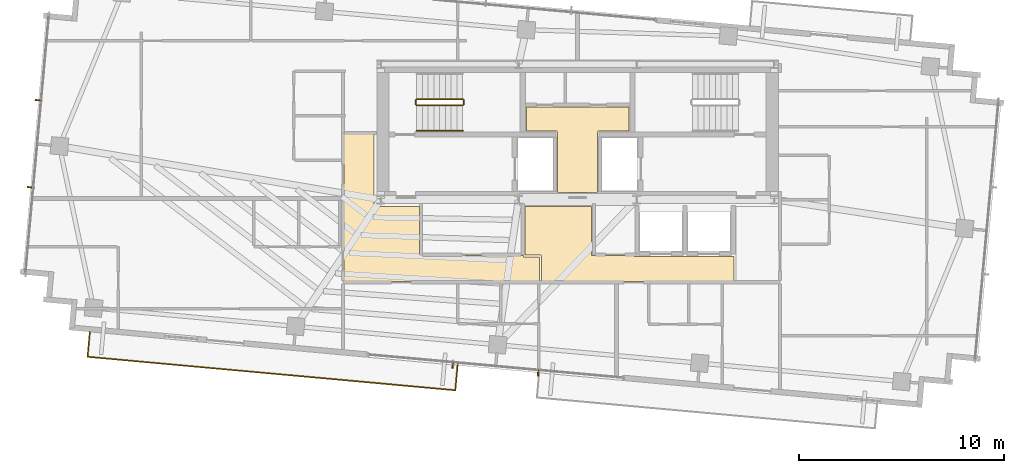
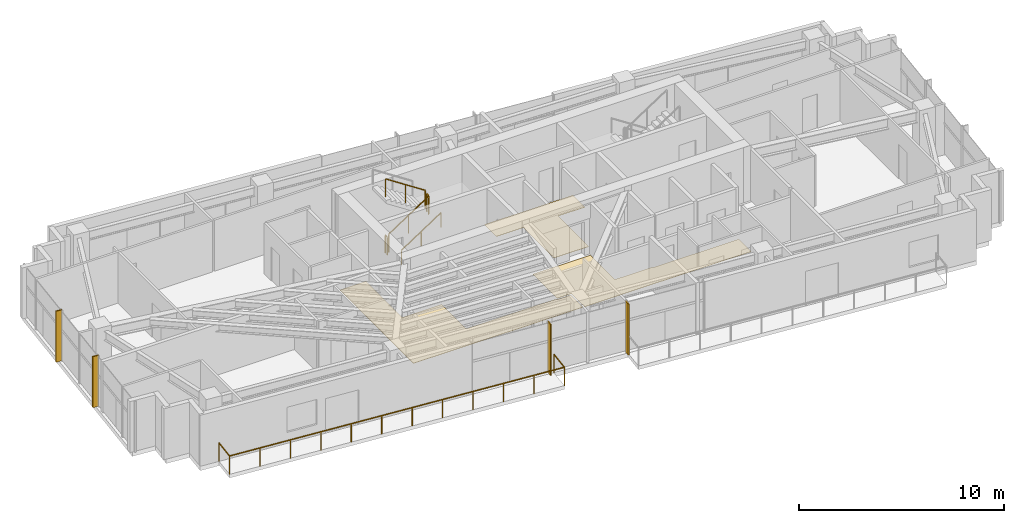
# One storey, part 20 of 22: 6 railings, 4 shading devices, 3 coverings.
"""IFC4 building model written with IfcOpenShell, lengths in metres."""

from ifc_helpers import new_model, si_unit, direction, frame, origin, origin_2d, place, context, subcontext, project, spatial, polyline, rectangle, outline, extrude, source, transform, mapped, material, layer, layer_set, type_object, type_shapes, element, save


model = new_model("IFC4")

# Units and contexts
model_context = context("Model", 3, precision=1e-05, world=origin(), true_north=direction((0.0, 1.0)))
body_context = subcontext(model_context, "Body", "Model", "MODEL_VIEW")
ifc_project = project(units=[si_unit("LENGTHUNIT", "METRE"), si_unit("AREAUNIT", "SQUARE_METRE"), si_unit("VOLUMEUNIT", "CUBIC_METRE"), si_unit("PLANEANGLEUNIT", "RADIAN"), si_unit("MASSUNIT", "GRAM", prefix="KILO")], contexts=[model_context])

# Site, building, storey
site_placement = place(None, origin())
site = spatial("IfcSite", under=ifc_project, at=site_placement, CompositionType="ELEMENT")
building_placement = place(site_placement, origin())
building = spatial("IfcBuilding", under=site, at=building_placement, Name="Astriad Promenade Condominiums", CompositionType="ELEMENT")
storey_placement = place(building_placement, frame((0.0, 0.0, 223.199951171875)))
storey = spatial("IfcBuildingStorey", under=building, at=storey_placement, Name="L64", CompositionType="ELEMENT", Elevation=223.199951171875)

# Coverings
ifc_material_1 = material(Name="Polished Lakefront Terrazzo Flooring")
ifc_layer = layer(ifc_material_1, 0.02001953125)
ifc_layer_set = layer_set([ifc_layer], Name="Polished Lakefront Terrazzo Flooring")
covering_type = type_object("IfcCoveringType", Name="COV-FLOR-TERRAZZO-20", PredefinedType="FLOORING", material=ifc_layer_set)
covering_1_placement = place(storey_placement, origin())
element("IfcCovering", 1, at=covering_1_placement, inside=storey, type_object=covering_type, Name="FLR-L64-CSL", PredefinedType="FLOORING", context=body_context, shape_type="SweptSolid", body=[
    extrude(outline(polyline([(36.97998046875, 20.699951171875), (36.97998046875, 17.739990234375), (35.02001953125, 17.739990234375), (35.02001953125, 20.699951171875), (35.019775390625, 20.703857421875), (35.019287109375, 20.707763671875), (35.018310546875, 20.711669921875), (35.01708984375, 20.71533203125), (35.015380859375, 20.718994140625), (35.01318359375, 20.72216796875), (35.010986328125, 20.725341796875), (35.00830078125, 20.728271484375), (35.00537109375, 20.73095703125), (35.002197265625, 20.7333984375), (34.998779296875, 20.7353515625), (34.995361328125, 20.737060546875), (34.99169921875, 20.73828125), (34.98779296875, 20.7392578125), (34.98388671875, 20.73974609375), (34.97998046875, 20.739990234375), (33.5, 20.739990234375), (33.5, 21.909912109375), (38.5, 21.909912109375), (38.5, 20.739990234375), (37.02001953125, 20.739990234375), (37.01611328125, 20.73974609375), (37.01220703125, 20.7392578125), (37.00830078125, 20.73828125), (37.004638671875, 20.737060546875), (37.001220703125, 20.7353515625), (36.997802734375, 20.7333984375), (36.99462890625, 20.73095703125), (36.99169921875, 20.728271484375), (36.989013671875, 20.725341796875), (36.98681640625, 20.72216796875), (36.984619140625, 20.718994140625), (36.98291015625, 20.71533203125), (36.981689453125, 20.711669921875), (36.980712890625, 20.707763671875), (36.980224609375, 20.703857421875), (36.97998046875, 20.699951171875)])), origin(), (0.0, 0.0, 1.0), 0.02001953125),
])
covering_2_placement = place(storey_placement, origin())
element("IfcCovering", 2, at=covering_2_placement, inside=storey, type_object=covering_type, Name="FLR-L64-LLB", PredefinedType="FLOORING", context=body_context, shape_type="SweptSolid", body=[
    extrude(outline(polyline([(43.639892578125, 14.610107421875), (43.639892578125, 13.39990234375), (34.239990234375, 13.39990234375), (34.239990234375, 14.64990234375), (34.23974609375, 14.65380859375), (34.2392578125, 14.65771484375), (34.23828125, 14.66162109375), (34.237060546875, 14.665283203125), (34.2353515625, 14.6689453125), (34.2333984375, 14.672119140625), (34.23095703125, 14.67529296875), (34.228271484375, 14.67822265625), (34.225341796875, 14.680908203125), (34.22216796875, 14.683349609375), (34.218994140625, 14.685302734375), (34.21533203125, 14.68701171875), (34.211669921875, 14.688232421875), (34.207763671875, 14.689208984375), (34.203857421875, 14.689697265625), (34.199951171875, 14.68994140625), (33.43994140625, 14.68994140625), (33.43994140625, 17.06005859375), (36.679931640625, 17.06005859375), (36.679931640625, 14.699951171875), (36.68017578125, 14.696044921875), (36.680908203125, 14.692138671875), (36.681640625, 14.6884765625), (36.68310546875, 14.684814453125), (36.684814453125, 14.68115234375), (36.686767578125, 14.677734375), (36.689208984375, 14.674560546875), (36.691650390625, 14.671630859375), (36.694580078125, 14.669189453125), (36.69775390625, 14.666748046875), (36.701171875, 14.664794921875), (36.70458984375, 14.6630859375), (36.70849609375, 14.66162109375), (36.712158203125, 14.660888671875), (36.716064453125, 14.66015625), (36.719970703125, 14.659912109375), (38.760009765625, 14.659912109375), (38.760009765625, 14.64990234375), (38.76025390625, 14.64599609375), (38.7607421875, 14.64208984375), (38.76171875, 14.638427734375), (38.762939453125, 14.634765625), (38.7646484375, 14.631103515625), (38.7666015625, 14.627685546875), (38.76904296875, 14.62451171875), (38.771728515625, 14.62158203125), (38.774658203125, 14.619140625), (38.77783203125, 14.61669921875), (38.781005859375, 14.61474609375), (38.78466796875, 14.613037109375), (38.788330078125, 14.61181640625), (38.792236328125, 14.61083984375), (38.796142578125, 14.610107421875), (38.800048828125, 14.610107421875), (43.639892578125, 14.610107421875)])), origin(), (0.0, 0.0, 1.0), 0.02001953125),
])
covering_3_placement = place(storey_placement, origin())
element("IfcCovering", 3, at=covering_3_placement, inside=storey, type_object=covering_type, Name="FLR-L64-COR-1", PredefinedType="FLOORING", context=body_context, shape_type="SweptSolid", body=[
    extrude(outline(polyline([(24.590087890625, 13.39990234375), (24.590087890625, 20.610107421875), (26.06005859375, 20.610107421875), (26.06005859375, 17.10009765625), (26.060302734375, 17.09619140625), (26.060791015625, 17.09228515625), (26.061767578125, 17.08837890625), (26.06298828125, 17.084716796875), (26.064697265625, 17.0810546875), (26.066650390625, 17.077880859375), (26.069091796875, 17.07470703125), (26.07177734375, 17.07177734375), (26.07470703125, 17.069091796875), (26.077880859375, 17.066650390625), (26.0810546875, 17.064697265625), (26.084716796875, 17.06298828125), (26.08837890625, 17.061767578125), (26.09228515625, 17.060791015625), (26.09619140625, 17.060302734375), (26.10009765625, 17.06005859375), (28.280029296875, 17.06005859375), (28.280029296875, 14.699951171875), (28.2802734375, 14.696044921875), (28.28076171875, 14.692138671875), (28.28173828125, 14.6884765625), (28.282958984375, 14.684814453125), (28.28466796875, 14.68115234375), (28.28662109375, 14.677734375), (28.2890625, 14.674560546875), (28.291748046875, 14.671630859375), (28.294677734375, 14.669189453125), (28.2978515625, 14.666748046875), (28.301025390625, 14.664794921875), (28.3046875, 14.6630859375), (28.308349609375, 14.66162109375), (28.312255859375, 14.660888671875), (28.316162109375, 14.66015625), (28.320068359375, 14.659912109375), (33.35009765625, 14.659912109375), (33.35009765625, 14.64892578125), (33.35009765625, 14.64501953125), (33.350830078125, 14.64111328125), (33.35107421875, 14.64013671875), (33.351318359375, 14.639404296875), (33.351318359375, 14.638427734375), (33.352294921875, 14.634521484375), (33.353759765625, 14.630859375), (33.3544921875, 14.629150390625), (33.356201171875, 14.6259765625), (33.356689453125, 14.625), (33.35888671875, 14.62158203125), (33.3603515625, 14.61962890625), (33.36083984375, 14.618896484375), (33.361083984375, 14.61865234375), (33.361328125, 14.618408203125), (33.361572265625, 14.617919921875), (33.36328125, 14.615966796875), (33.365966796875, 14.61328125), (33.367919921875, 14.611572265625), (33.368408203125, 14.611328125), (33.36865234375, 14.611083984375), (33.368896484375, 14.61083984375), (33.36962890625, 14.6103515625), (33.37158203125, 14.60888671875), (33.375, 14.606689453125), (33.3759765625, 14.606201171875), (33.379150390625, 14.6044921875), (33.3798828125, 14.604248046875), (33.380859375, 14.603759765625), (33.384521484375, 14.602294921875), (33.388427734375, 14.601318359375), (33.389404296875, 14.601318359375), (33.39013671875, 14.60107421875), (33.39111328125, 14.600830078125), (33.39501953125, 14.60009765625), (33.39892578125, 14.60009765625), (34.14990234375, 14.60009765625), (34.14990234375, 13.39990234375), (24.590087890625, 13.39990234375)])), origin(), (0.0, 0.0, 1.0), 0.02001953125),
])

# Shading devices
ifc_material_2 = material(Name="Anodised aluminium 6063-T6 Black Fin", Category="aluminium")
shading_device_type = type_object("IfcShadingDeviceType", Name="FIN-BLACK-260", PredefinedType="USERDEFINED", material=ifc_material_2)
shared_shape_1 = source(origin(), body_context, "Body", "SweptSolid", [
    extrude(rectangle(XDim=0.06494140625, YDim=0.320068359375, at=origin_2d()), origin(), (0.0, 0.0, 1.0), 3.0400390625),
])
type_shapes(shading_device_type, [shared_shape_1])
for number, where, z_axis, x_axis, name in (
    (4, (9.293212890625, 17.9970703125, 0.0), (0.0, 0.0, 1.0), (0.090632580198, 0.995884398616, 0.0), "CW-L64-W-FIN-01"),
    (5, (9.6796875, 22.246337890625, 0.0), (0.0, 0.0, 1.0), (0.090632580198, 0.995884398616, 0.0), "CW-L64-W-FIN-02"),
    (6, (34.073974609375, 8.937255859375, 0.0), (0.0, 0.0, 1.0), (-0.995884398616, 0.090632580198, 0.0), "CW-L64-S-FIN-01"),
    (7, (29.9111328125, 9.316162109375, 0.0), (0.0, 0.0, 1.0), (-0.995884398616, 0.090632580198, 0.0), "CW-L64-S-FIN-02"),
):
    element("IfcShadingDevice", number, at=place(storey_placement, frame(where, z_axis=z_axis, x_axis=x_axis)), inside=storey, type_object=shading_device_type, Name=name, ObjectType="FIN", PredefinedType="USERDEFINED", context=body_context, shape_type="MappedRepresentation", body=[
        mapped(shared_shape_1, transform((0.0, 0.0, 0.0), scale=1.0)),
    ])

# Railings
ifc_material_3 = material(Name="Laminated Glass and Stainless Steel Balustrade", Category="steel")
railing_type_1 = type_object("IfcRailingType", Name="GRD-BALC-1120", PredefinedType="BALUSTRADE", material=ifc_material_3)
shared_shape_2 = source(origin(), body_context, "Body", "SweptSolid", [
    extrude(rectangle(XDim=0.048095703125, YDim=0.048095703125, at=origin_2d()), frame((0.0, 0.0, 1.09619140625), z_axis=(-0.090643994769, -0.995883359743, 0.0), x_axis=(0.995883359743, -0.090643994769, 0.0)), (0.0, 0.0, 1.0), 1.22021484375),
    extrude(rectangle(XDim=0.048095703125, YDim=0.048095703125, at=origin_2d()), frame((-0.110595703125, -1.215087890625, 1.09619140625), z_axis=(0.995884986863, -0.090626116217, 0.0), x_axis=(0.090626116217, 0.995884986863, 0.0)), (0.0, 0.0, 1.0), 18.025146484375),
    extrude(rectangle(XDim=0.048095703125, YDim=0.048095703125, at=origin_2d()), frame((17.84033203125, -2.8486328125, 1.09619140625), z_axis=(0.09066206129, 0.995881715186, 0.0), x_axis=(-0.995881715186, 0.09066206129, 0.0)), (0.0, 0.0, 1.0), 1.219970703125),
    extrude(rectangle(XDim=0.0419921875, YDim=0.0419921875, at=origin_2d()), origin(), (0.0, 0.0, 1.0), 1.072021484375),
    extrude(rectangle(XDim=0.0419921875, YDim=0.0419921875, at=origin_2d()), frame((-0.110595703125, -1.215087890625, 0.0)), (0.0, 0.0, 1.0), 1.072021484375),
    extrude(rectangle(XDim=0.0419921875, YDim=0.0419921875, at=origin_2d()), frame((1.521240234375, -1.363525390625, 0.0)), (0.0, 0.0, 1.0), 1.072021484375),
    extrude(rectangle(XDim=0.0419921875, YDim=0.0419921875, at=origin_2d()), frame((3.1533203125, -1.51220703125, 0.0)), (0.0, 0.0, 1.0), 1.072021484375),
    extrude(rectangle(XDim=0.0419921875, YDim=0.0419921875, at=origin_2d()), frame((4.78515625, -1.66064453125, 0.0)), (0.0, 0.0, 1.0), 1.072021484375),
    extrude(rectangle(XDim=0.0419921875, YDim=0.0419921875, at=origin_2d()), frame((6.4169921875, -1.80908203125, 0.0)), (0.0, 0.0, 1.0), 1.072021484375),
    extrude(rectangle(XDim=0.0419921875, YDim=0.0419921875, at=origin_2d()), frame((8.048828125, -1.95751953125, 0.0)), (0.0, 0.0, 1.0), 1.072021484375),
    extrude(rectangle(XDim=0.0419921875, YDim=0.0419921875, at=origin_2d()), frame((9.680908203125, -2.106201171875, 0.0)), (0.0, 0.0, 1.0), 1.072021484375),
    extrude(rectangle(XDim=0.0419921875, YDim=0.0419921875, at=origin_2d()), frame((11.312744140625, -2.254638671875, 0.0)), (0.0, 0.0, 1.0), 1.072021484375),
    extrude(rectangle(XDim=0.0419921875, YDim=0.0419921875, at=origin_2d()), frame((12.944580078125, -2.403076171875, 0.0)), (0.0, 0.0, 1.0), 1.072021484375),
    extrude(rectangle(XDim=0.0419921875, YDim=0.0419921875, at=origin_2d()), frame((14.576416015625, -2.551513671875, 0.0)), (0.0, 0.0, 1.0), 1.072021484375),
    extrude(rectangle(XDim=0.0419921875, YDim=0.0419921875, at=origin_2d()), frame((16.20849609375, -2.7001953125, 0.0)), (0.0, 0.0, 1.0), 1.072021484375),
    extrude(rectangle(XDim=0.0419921875, YDim=0.0419921875, at=origin_2d()), frame((17.84033203125, -2.8486328125, 0.0)), (0.0, 0.0, 1.0), 1.072021484375),
    extrude(rectangle(XDim=0.0419921875, YDim=0.0419921875, at=origin_2d()), frame((17.950927734375, -1.6337890625, 0.0)), (0.0, 0.0, 1.0), 1.072021484375),
])
type_shapes(railing_type_1, [shared_shape_2])
railing_1_placement = place(storey_placement, frame((12.194091796875, 10.9384765625, 0.0)))
element("IfcRailing", 8, at=railing_1_placement, inside=storey, type_object=railing_type_1, Name="GRD-BALC-L64-SW", PredefinedType="BALUSTRADE", context=body_context, shape_type="MappedRepresentation", body=[
    mapped(shared_shape_2, transform((0.0, 0.0, 0.0), scale=1.0)),
])
ifc_material_4 = material(Name="Painted Galvanised Steel Guardrail", Category="steel")
railing_type_2 = type_object("IfcRailingType", Name="GRD-STAIR-1100", PredefinedType="GUARDRAIL", material=ifc_material_4)
shared_shape_3 = source(origin(), body_context, "Body", "SweptSolid", [
    extrude(rectangle(XDim=0.048095703125, YDim=0.048095703125, at=origin_2d()), frame((0.0, 0.0, 1.076171875), z_axis=(0.0, 1.0, 0.0), x_axis=(-1.0, 0.0, 0.0)), (0.0, 0.0, 1.0), 0.199951171875),
    extrude(rectangle(XDim=0.0419921875, YDim=0.0419921875, at=origin_2d()), origin(), (0.0, 0.0, 1.0), 1.052001953125),
    extrude(rectangle(XDim=0.0419921875, YDim=0.0419921875, at=origin_2d()), frame((0.0, 0.199951171875, 0.0)), (0.0, 0.0, 1.0), 1.052001953125),
])
for number, where, name in (
    (9, (30.43994140625, 22.050048828125, 1.650146484375), "L64 ST-1 stair guard 2"),
    (10, (28.10009765625, 22.050048828125, 0.0), "L64 ST-1 stair guard 4"),
):
    element("IfcRailing", number, at=place(storey_placement, frame(where)), inside=storey, type_object=railing_type_2, Name=name, PredefinedType="GUARDRAIL", context=body_context, shape_type="MappedRepresentation", body=[
        mapped(shared_shape_3, transform((0.0, 0.0, 0.0), scale=1.0)),
    ])
shared_shape_4 = source(origin(), body_context, "Body", "SweptSolid", [
    extrude(rectangle(XDim=0.048095703125, YDim=0.048095703125, at=origin_2d()), frame((0.0, 0.0, 1.076171875), z_axis=(-0.836636935527, 0.0, 0.547757827979), x_axis=(0.0, -1.0, 0.0)), (0.0, 0.0, 1.0), 2.677490234375),
    extrude(rectangle(XDim=0.0419921875, YDim=0.0419921875, at=origin_2d()), origin(), (0.0, 0.0, 1.0), 1.052001953125),
    extrude(rectangle(XDim=0.0419921875, YDim=0.0419921875, at=origin_2d()), frame((-1.1201171875, 0.0, 0.7333984375)), (0.0, 0.0, 1.0), 1.052001953125),
    extrude(rectangle(XDim=0.0419921875, YDim=0.0419921875, at=origin_2d()), frame((-2.239990234375, 0.0, 1.466552734375)), (0.0, 0.0, 1.0), 1.052001953125),
])
railing_2_placement = place(storey_placement, frame((30.389892578125, 22.300048828125, 1.83349609375)))
element("IfcRailing", 11, at=railing_2_placement, inside=storey, type_object=railing_type_2, Name="L64 ST-1 stair guard 3", PredefinedType="GUARDRAIL", context=body_context, shape_type="MappedRepresentation", body=[
    mapped(shared_shape_4, transform((0.0, 0.0, 0.0), scale=1.0)),
])
shared_shape_5 = source(origin(), body_context, "Body", "SweptSolid", [
    extrude(rectangle(XDim=0.048095703125, YDim=0.048095703125, at=origin_2d()), frame((0.0, 0.0, 1.076171875), z_axis=(0.836595146698, 0.0, 0.547821650285), x_axis=(0.0, 1.0, 0.0)), (0.0, 0.0, 1.0), 2.677490234375),
    extrude(rectangle(XDim=0.0419921875, YDim=0.0419921875, at=origin_2d()), origin(), (0.0, 0.0, 1.0), 1.052001953125),
    extrude(rectangle(XDim=0.0419921875, YDim=0.0419921875, at=origin_2d()), frame((1.1201171875, 0.0, 0.7333984375)), (0.0, 0.0, 1.0), 1.052001953125),
    extrude(rectangle(XDim=0.0419921875, YDim=0.0419921875, at=origin_2d()), frame((2.239990234375, 0.0, 1.466796875)), (0.0, 0.0, 1.0), 1.052001953125),
])
type_shapes(railing_type_2, [shared_shape_3, shared_shape_4, shared_shape_5])
railing_3_placement = place(storey_placement, frame((28.14990234375, 22.0, 0.183349609375)))
element("IfcRailing", 12, at=railing_3_placement, inside=storey, type_object=railing_type_2, Name="L64 ST-1 stair guard 1", PredefinedType="GUARDRAIL", context=body_context, shape_type="MappedRepresentation", body=[
    mapped(shared_shape_5, transform((0.0, 0.0, 0.0), scale=1.0)),
])
ifc_material_5 = material(Name="Brushed Stainless Steel Handrail", Category="steel")
railing_type_3 = type_object("IfcRailingType", Name="HRL-STAIR-920", PredefinedType="HANDRAIL", material=ifc_material_5)
shared_shape_6 = source(origin(), body_context, "Body", "SweptSolid", [
    extrude(rectangle(XDim=0.048095703125, YDim=0.048095703125, at=origin_2d()), frame((0.0, 0.0, 0.8759765625), z_axis=(0.836595146698, 0.0, 0.547821650285), x_axis=(0.0, 1.0, 0.0)), (0.0, 0.0, 1.0), 2.677490234375),
    extrude(rectangle(XDim=0.0419921875, YDim=0.0419921875, at=origin_2d()), origin(), (0.0, 0.0, 1.0), 0.851806640625),
    extrude(rectangle(XDim=0.0419921875, YDim=0.0419921875, at=origin_2d()), frame((1.1201171875, 0.0, 0.7333984375)), (0.0, 0.0, 1.0), 0.851806640625),
    extrude(rectangle(XDim=0.0419921875, YDim=0.0419921875, at=origin_2d()), frame((2.239990234375, 0.0, 1.466796875)), (0.0, 0.0, 1.0), 0.851806640625),
])
type_shapes(railing_type_3, [shared_shape_6])
railing_4_placement = place(storey_placement, frame((28.14990234375, 20.75, 0.183349609375)))
element("IfcRailing", 13, at=railing_4_placement, inside=storey, type_object=railing_type_3, Name="L64 ST-1 stair handrail 1", PredefinedType="HANDRAIL", context=body_context, shape_type="MappedRepresentation", body=[
    mapped(shared_shape_6, transform((0.0, 0.0, 0.0), scale=1.0)),
])

save(model, "model.ifc")
